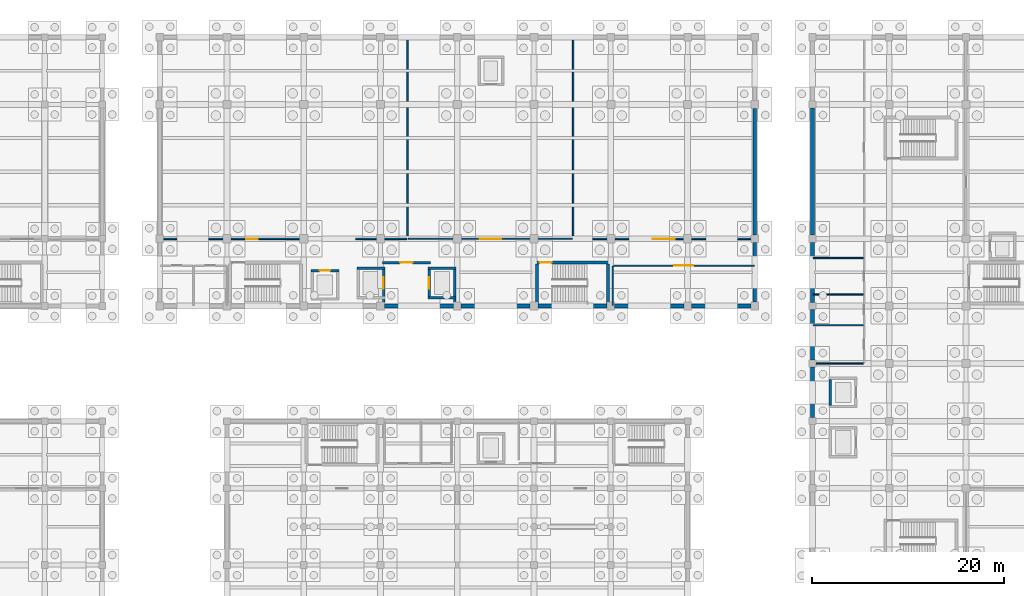
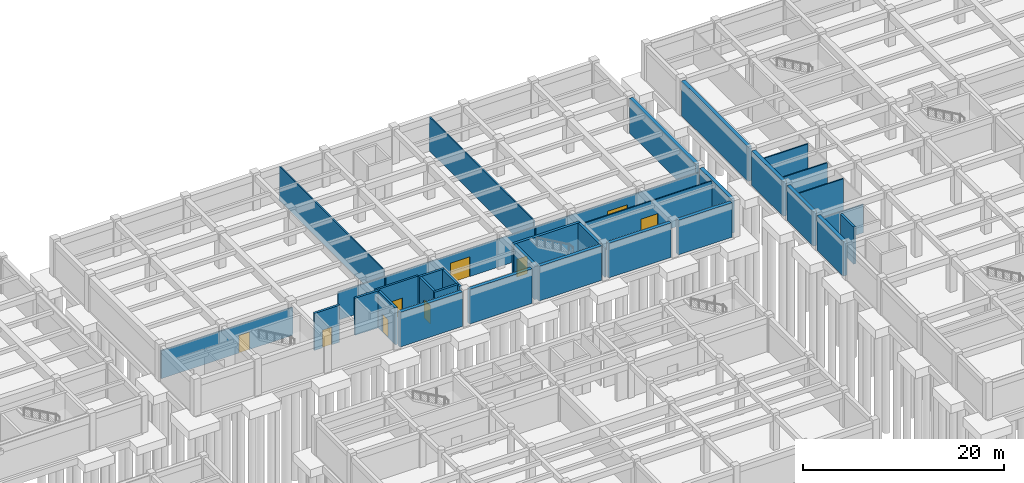
# One storey, part 18 of 28: 35 walls, 9 doors, 9 openings.
"""IFC4 building model written with IfcOpenShell, lengths in metres."""

import ifcopenshell
import ifcopenshell.guid

model = None  # the IFC model being written
_history = None  # IfcOwnerHistory: only IFC2X3 demands one
_inside = {}  # id of a spatial element -> (the spatial element, [elements in it])
_under = {}  # id of a project, library or spatial element -> (it, [spatial elements below it])
_declared = {}  # id of a project -> (the project, [libraries it declares])
_typed = {}  # id of a type object -> (the type object, [elements of that type])
_made_of = {}  # id of a material, layer set ... -> (it, [elements and type objects made of it])


def new_model(schema):
    """Start an empty IFC model of exactly this schema.

    Asked for "IFC4X3", IfcOpenShell would pick the latest addendum, in which some entities
    have other attributes; the version numbers below select the first issue.
    IFC2X3 requires an IfcOwnerHistory on every rooted entity: one is made here for all.
    """
    global model, _history
    if schema == "IFC4X3":
        model = ifcopenshell.file(schema_version=(4, 3, 0, 0))
    else:
        model = ifcopenshell.file(schema=schema)
    _inside.clear()
    _under.clear()
    _declared.clear()
    _typed.clear()
    _made_of.clear()
    _history = None
    if model.schema == "IFC2X3":
        org = make("IfcOrganization", Name="unknown")
        user = make(
            "IfcPersonAndOrganization",
            ThePerson=make("IfcPerson", FamilyName="unknown"),
            TheOrganization=org,
        )
        app = make(
            "IfcApplication",
            ApplicationDeveloper=org,
            Version="unknown",
            ApplicationFullName="unknown",
            ApplicationIdentifier="unknown",
        )
        _history = make(
            "IfcOwnerHistory",
            OwningUser=user,
            OwningApplication=app,
            ChangeAction="ADDED",
            CreationDate=0,
        )
    return model


def make(cls, **values):
    """One entity of the class cls with the attributes given. An attribute that is None is left unset."""
    return model.create_entity(
        cls, **{name: value for name, value in values.items() if value is not None}
    )


def rooted(cls, **values):
    """An entity with a GlobalId (a new one), such as an element, a storey or a relation."""
    return make(cls, GlobalId=ifcopenshell.guid.new(), OwnerHistory=_history, **values)


def si_unit(unit_type, name, prefix=None):
    """IfcSIUnit, for example si_unit("LENGTHUNIT", "METRE", prefix="MILLI")."""
    return make("IfcSIUnit", UnitType=unit_type, Prefix=prefix, Name=name)


def assignment(units):
    """IfcUnitAssignment: the units of a project."""
    return None if units is None else make("IfcUnitAssignment", Units=units)


def point(xyz):
    """IfcCartesianPoint."""
    return None if xyz is None else make("IfcCartesianPoint", Coordinates=xyz)


def direction(xyz):
    """IfcDirection."""
    return None if xyz is None else make("IfcDirection", DirectionRatios=xyz)


def frame(location, z_axis=None, x_axis=None):
    """IfcAxis2Placement3D, a coordinate frame: its origin and axes. An axis left out is left unset."""
    return make(
        "IfcAxis2Placement3D",
        Location=point(location),
        Axis=direction(z_axis),
        RefDirection=direction(x_axis),
    )


def frame_2d(location, x_axis=None):
    """IfcAxis2Placement2D, a coordinate frame in the plane: its origin and x axis."""
    return make(
        "IfcAxis2Placement2D", Location=point(location), RefDirection=direction(x_axis)
    )


def origin():
    """The frame at (0, 0, 0) with its axes left unset."""
    return frame((0.0, 0.0, 0.0))


def place(relative_to, where):
    """IfcLocalPlacement: puts the frame where relative to a parent placement (None: the world)."""
    return make(
        "IfcLocalPlacement", PlacementRelTo=relative_to, RelativePlacement=where
    )


def context(
    kind, dimensions, precision=None, world=None, true_north=None, identifier=None
):
    """IfcGeometricRepresentationContext, for example the 3D "Model" context."""
    return make(
        "IfcGeometricRepresentationContext",
        ContextIdentifier=identifier,
        ContextType=kind,
        CoordinateSpaceDimension=dimensions,
        Precision=precision,
        WorldCoordinateSystem=world,
        TrueNorth=true_north,
    )


def subcontext(parent, identifier, kind, view, scale=None):
    """IfcGeometricRepresentationSubContext, for example "Body" below "Model"."""
    return make(
        "IfcGeometricRepresentationSubContext",
        ContextIdentifier=identifier,
        ContextType=kind,
        ParentContext=parent,
        TargetScale=scale,
        TargetView=view,
    )


def project(units=None, contexts=None):
    """IfcProject with its units and contexts."""
    return rooted(
        "IfcProject",
        Name="project",
        RepresentationContexts=contexts,
        UnitsInContext=assignment(units),
    )


def spatial(cls, under=None, at=None, **own):
    """A site, building, storey or space (cls), placed at a placement, below another one or the project."""
    s = rooted(cls, ObjectPlacement=at, **own)
    if under is not None:
        _under.setdefault(under.id(), (under, []))[1].append(s)
    return s


def profile(cls, at=None, kind="AREA", **sizes):
    """A parametric profile (cls). Its sizes go by their IFC names, for example OverallWidth=200.0."""
    return make(cls, ProfileType=kind, Position=at, **sizes)


def rectangle(**sizes):
    """IfcRectangleProfileDef."""
    return profile("IfcRectangleProfileDef", **sizes)


def extrude(swept, where, along, depth):
    """IfcExtrudedAreaSolid: the profile swept, set in the frame where, extruded along a direction by depth."""
    return make(
        "IfcExtrudedAreaSolid",
        SweptArea=swept,
        Position=where,
        ExtrudedDirection=direction(along),
        Depth=depth,
    )


def shape(context_of_items, identifier, shape_type, items):
    """IfcShapeRepresentation: the items that make up one representation, for example the "Body"."""
    return make(
        "IfcShapeRepresentation",
        ContextOfItems=context_of_items,
        RepresentationIdentifier=identifier,
        RepresentationType=shape_type,
        Items=items,
    )


def material(Name=None, Category=None):
    """IfcMaterial."""
    return make("IfcMaterial", Name=Name, Category=Category)


def layer(
    of_material, thickness, ventilated=None, Name=None, Category=None, Priority=None
):
    """IfcMaterialLayer: one layer of a wall or slab, of a material (None: an air gap)."""
    return make(
        "IfcMaterialLayer",
        Material=of_material,
        LayerThickness=thickness,
        IsVentilated=ventilated,
        Name=Name,
        Category=Category,
        Priority=Priority,
    )


def layer_set(layers, Name=None):
    """IfcMaterialLayerSet."""
    return make("IfcMaterialLayerSet", MaterialLayers=layers, LayerSetName=Name)


def made_of(thing, what):
    """Note that an element or type object is made of a material, layer set ...; save() writes the relation."""
    if what is not None:
        _made_of.setdefault(what.id(), (what, []))[1].append(thing)
    return thing


def type_object(cls, material=None, **own):
    """A type object (cls), such as IfcWallType, which elements share."""
    return made_of(rooted(cls, **own), material)


def element(
    cls,
    number,
    at=None,
    inside=None,
    cuts=None,
    type_object=None,
    material=None,
    context=None,
    identifier="Body",
    shape_type=None,
    held_by="IfcProductDefinitionShape",
    body=None,
    shapes=None,
    **own,
):
    """One element of the class cls, such as IfcWall. Its Tag is "e" and its number.

    at: its placement. inside: the storey or other place that contains it. cuts: it is an
    opening in that element (IfcRelVoidsElement). A single representation is given by context,
    identifier, shape_type and body (its items); several are given by shapes. held_by: the class
    of the entity that holds the representations. save() writes the other relations.
    """
    e = rooted(cls, Tag="e%d" % number, ObjectPlacement=at, **own)
    if body is not None:
        shapes = [shape(context, identifier, shape_type, body)]
    if shapes is not None:
        e.Representation = make(held_by, Representations=shapes)
    if inside is not None:
        _inside.setdefault(inside.id(), (inside, []))[1].append(e)
    if cuts is not None:
        rooted(
            "IfcRelVoidsElement", RelatingBuildingElement=cuts, RelatedOpeningElement=e
        )
    if type_object is not None:
        _typed.setdefault(type_object.id(), (type_object, []))[1].append(e)
    return made_of(e, material)


def fill(opening, filler):
    """IfcRelFillsElement: the door or window that sits in an opening."""
    return rooted(
        "IfcRelFillsElement",
        RelatingOpeningElement=opening,
        RelatedBuildingElement=filler,
    )


def aggregate(whole, parts):
    """IfcRelAggregates: a whole, such as a stair, and the parts it consists of."""
    return rooted("IfcRelAggregates", RelatingObject=whole, RelatedObjects=parts)


def save(model, path):
    """Write the relations noted so far, then the file.

    IfcRelAggregates (storeys below a building ...), IfcRelContainedInSpatialStructure (elements
    in a storey), IfcRelDefinesByType, IfcRelAssociatesMaterial and IfcRelDeclares: one each for
    every whole, place, type object, material and project.
    """
    for whole, parts in _under.values():
        aggregate(whole, parts)
    for where, things in _inside.values():
        rooted(
            "IfcRelContainedInSpatialStructure",
            RelatedElements=things,
            RelatingStructure=where,
        )
    for kind, things in _typed.values():
        rooted("IfcRelDefinesByType", RelatedObjects=things, RelatingType=kind)
    for what, things in _made_of.values():
        rooted("IfcRelAssociatesMaterial", RelatedObjects=things, RelatingMaterial=what)
    for by, libraries in _declared.values():
        rooted("IfcRelDeclares", RelatingContext=by, RelatedDefinitions=libraries)
    model.write(path)


model = new_model("IFC4")

# Units and contexts
model_context = context("Model", 3, precision=1e-05, world=origin(), true_north=direction((0.0, 1.0)))
body_context = subcontext(model_context, "Body", "Model", "MODEL_VIEW")
ifc_project = project(units=[si_unit("LENGTHUNIT", "METRE"), si_unit("AREAUNIT", "SQUARE_METRE"), si_unit("VOLUMEUNIT", "CUBIC_METRE"), si_unit("PLANEANGLEUNIT", "RADIAN"), si_unit("MASSUNIT", "GRAM", prefix="KILO")], contexts=[model_context])

# Site, building, storey
site_placement = place(None, origin())
site = spatial("IfcSite", under=ifc_project, at=site_placement, CompositionType="ELEMENT")
building_placement = place(site_placement, origin())
building = spatial("IfcBuilding", under=site, at=building_placement, Name="Naurynzar Civic Courthouse", CompositionType="ELEMENT")
storey_placement = place(building_placement, frame((0.0, 0.0, -4.5)))
storey = spatial("IfcBuildingStorey", under=building, at=storey_placement, Name="B01", CompositionType="ELEMENT", Elevation=-4.5)

# Wall, opening, door
ifc_material_1 = material(Name="Concrete C40/50", Category="concrete")
ifc_layer_1 = layer(ifc_material_1, 0.300048828125)
ifc_layer_set_1 = layer_set([ifc_layer_1], Name="WL-CORE-300")
wall_type_1 = type_object("IfcWallType", Name="WL-CORE-300", PredefinedType="SHEAR", material=ifc_layer_set_1)
wall_1_placement = place(storey_placement, frame((108.85009765625, 48.550048828125, 0.0), z_axis=(0.0, 0.0, 1.0), x_axis=(-1.0, 0.0, 0.0)))
wall_1 = element("IfcWall", 1, at=wall_1_placement, inside=storey, type_object=wall_type_1, Name="Stair ST-V2B enclosure wall north B01", PredefinedType="SHEAR", context=body_context, shape_type="SweptSolid", body=[
    extrude(rectangle(XDim=7.7001953125, YDim=0.300048828125, at=frame_2d((3.85009765625, 0.0))), origin(), (0.0, 0.0, 1.0), 4.199951171875),
])
opening_1_placement = place(wall_1_placement, frame((6.02490234375, 0.0, 0.0)))
opening_1 = element("IfcOpeningElement", 2, at=opening_1_placement, cuts=wall_1, Name="Opening SD-034", PredefinedType="OPENING", context=body_context, shape_type="SweptSolid", body=[
    extrude(rectangle(XDim=1.25, YDim=2.14990234375, at=frame_2d((0.625, 1.074951171875))), frame((0.0, 0.159912109375, 0.0), z_axis=(0.0, -1.0, 0.0), x_axis=(1.0, 0.0, 0.0)), (0.0, 0.0, 1.0), 0.320068359375),
])
ifc_material_2 = material(Name="Powder-Coated Galvanised Steel", Category="steel")
door_type_1 = type_object("IfcDoorType", Name="DR-STAIR-1250x2150", OperationType="NOTDEFINED", PredefinedType="DOOR", material=ifc_material_2)
door_1_placement = place(opening_1_placement, origin())
door_1 = element("IfcDoor", 3, at=door_1_placement, inside=storey, type_object=door_type_1, Name="Stair ST-V2B fire door B01", OperationType="SINGLE_SWING_RIGHT", OverallHeight=2.14990234375, OverallWidth=1.25, PredefinedType="DOOR", context=body_context, shape_type="SweptSolid", body=[
    extrude(rectangle(XDim=1.25, YDim=2.14990234375, at=frame_2d((0.625, 1.074951171875))), frame((0.0, 0.02490234375, 0.0), z_axis=(0.0, -1.0, 0.0), x_axis=(1.0, 0.0, 0.0)), (0.0, 0.0, 1.0), 0.050048828125),
])
fill(opening_1, door_1)

# Walls
for number, where, z_axis, x_axis, name in (
    (4, (101.300048828125, 48.39501953125, 0.0), (0.0, 0.0, 1.0), (0.0, -1.0, 0.0), "Stair ST-V2B enclosure wall west B01"),
    (5, (108.699951171875, 44.205078125, 0.0), (0.0, 0.0, 1.0), (0.0, 1.0, 0.0), "Stair ST-V2B enclosure wall east B01"),
):
    element("IfcWall", number, at=place(storey_placement, frame(where, z_axis=z_axis, x_axis=x_axis)), inside=storey, type_object=wall_type_1, Name=name, PredefinedType="SHEAR", context=body_context, shape_type="SweptSolid", body=[
        extrude(rectangle(XDim=4.18994140625, YDim=0.300048828125, at=frame_2d((2.094970703125, 0.0))), origin(), (0.0, 0.0, 1.0), 4.199951171875),
    ])

# Wall, opening, door
ifc_material_3 = material(Name="Concrete C35/45", Category="concrete")
ifc_layer_2 = layer(ifc_material_3, 0.219970703125)
ifc_layer_set_2 = layer_set([ifc_layer_2], Name="WL-FFL-220")
wall_type_2 = type_object("IfcWallType", Name="WL-FFL-220", PredefinedType="SOLIDWALL", material=ifc_layer_set_2)
wall_2_placement = place(storey_placement, frame((85.179931640625, 48.510009765625, 0.0), z_axis=(0.0, 0.0, 1.0), x_axis=(1.0, 0.0, 0.0)))
wall_2 = element("IfcWall", 6, at=wall_2_placement, inside=storey, type_object=wall_type_2, Name="Firefighting lift lobby EI 120 wall CORE-V2 B01 north", PredefinedType="SOLIDWALL", context=body_context, shape_type="SweptSolid", body=[
    extrude(rectangle(XDim=5.0400390625, YDim=0.219970703125, at=frame_2d((2.52001953125, 0.0))), origin(), (0.0, 0.0, 1.0), 4.199951171875),
])
opening_2_placement = place(wall_2_placement, frame((1.8701171875, 0.0, 0.0)))
opening_2 = element("IfcOpeningElement", 7, at=opening_2_placement, cuts=wall_2, Name="Opening FD-01", PredefinedType="OPENING", context=body_context, shape_type="SweptSolid", body=[
    extrude(rectangle(XDim=1.300048828125, YDim=2.14990234375, at=frame_2d((0.64990234375, 1.074951171875))), frame((0.0, 0.119873046875, 0.0), z_axis=(0.0, -1.0, 0.0), x_axis=(1.0, 0.0, 0.0)), (0.0, 0.0, 1.0), 0.239990234375),
])
ifc_material_4 = material(Name="Powder-Coated Galvanised Steel", Category="steel")
door_type_2 = type_object("IfcDoorType", Name="DR-FFL-1300x2150", OperationType="NOTDEFINED", PredefinedType="DOOR", material=ifc_material_4)
door_2_placement = place(opening_2_placement, origin())
door_2 = element("IfcDoor", 8, at=door_2_placement, inside=storey, type_object=door_type_2, Name="Firefighting lift lobby door FD-01", OperationType="SINGLE_SWING_LEFT", OverallHeight=2.14990234375, OverallWidth=1.300048828125, PredefinedType="DOOR", context=body_context, shape_type="SweptSolid", body=[
    extrude(rectangle(XDim=1.300048828125, YDim=2.14990234375, at=frame_2d((0.64990234375, 1.074951171875))), frame((0.0, 0.02490234375, 0.0), z_axis=(0.0, -1.0, 0.0), x_axis=(1.0, 0.0, 0.0)), (0.0, 0.0, 1.0), 0.050048828125),
])
fill(opening_2, door_2)

ifc_material_5 = material(Name="Fire-Rated Corridor Gypsum Partition")
ifc_layer_3 = layer(ifc_material_5, 0.14990234375)
ifc_layer_set_3 = layer_set([ifc_layer_3], Name="WL-PART-CORR-150")
wall_type_3 = type_object("IfcWallType", Name="WL-PART-CORR-150", PredefinedType="PARTITIONING", material=ifc_layer_set_3)
wall_3_placement = place(storey_placement, frame((62.080078125, 51.0, 0.0), z_axis=(0.0, 0.0, 1.0), x_axis=(1.0, 0.0, 0.0)))
wall_3 = element("IfcWall", 9, at=wall_3_placement, inside=storey, type_object=wall_type_3, Name="V2 interior partition B01.32", PredefinedType="PARTITIONING", context=body_context, shape_type="SweptSolid", body=[
    extrude(rectangle(XDim=15.119873046875, YDim=0.14990234375, at=frame_2d((7.56005859375, 0.0))), origin(), (0.0, 0.0, 1.0), 3.39990234375),
])
opening_3_placement = place(wall_3_placement, frame((8.943115234375, 0.0, 0.0)))
opening_3 = element("IfcOpeningElement", 10, at=opening_3_placement, cuts=wall_3, Name="Opening D-098", PredefinedType="OPENING", context=body_context, shape_type="SweptSolid", body=[
    extrude(rectangle(XDim=1.199951171875, YDim=2.14990234375, at=frame_2d((0.60009765625, 1.074951171875))), frame((0.0, 0.0849609375, 0.0), z_axis=(0.0, -1.0, 0.0), x_axis=(1.0, 0.0, 0.0)), (0.0, 0.0, 1.0), 0.169921875),
])
ifc_material_6 = material(Name="Powder-Coated Galvanised Steel", Category="steel")
door_type_3 = type_object("IfcDoorType", Name="DR-ARCH-1200x2150", OperationType="NOTDEFINED", PredefinedType="DOOR", material=ifc_material_6)
door_3_placement = place(opening_3_placement, origin())
door_3 = element("IfcDoor", 11, at=door_3_placement, inside=storey, type_object=door_type_3, Name="Interior door D-098 (Civil Case Archive Vault)", OperationType="SINGLE_SWING_RIGHT", OverallHeight=2.14990234375, OverallWidth=1.199951171875, PredefinedType="DOOR", context=body_context, shape_type="SweptSolid", body=[
    extrude(rectangle(XDim=1.199951171875, YDim=2.14990234375, at=frame_2d((0.60009765625, 1.074951171875))), frame((0.0, 0.02490234375, 0.0), z_axis=(0.0, -1.0, 0.0), x_axis=(1.0, 0.0, 0.0)), (0.0, 0.0, 1.0), 0.050048828125),
])
fill(opening_3, door_3)

# Wall
wall_4_placement = place(storey_placement, frame((82.39990234375, 51.0, 0.0), z_axis=(0.0, 0.0, 1.0), x_axis=(1.0, 0.0, 0.0)))
element("IfcWall", 12, at=wall_4_placement, inside=storey, type_object=wall_type_3, Name="V2 interior partition B01.33", PredefinedType="PARTITIONING", context=body_context, shape_type="SweptSolid", body=[
    extrude(rectangle(XDim=5.35009765625, YDim=0.14990234375, at=frame_2d((2.675048828125, 0.0))), origin(), (0.0, 0.0, 1.0), 3.39990234375),
])

# Wall, opening, door
wall_5_placement = place(storey_placement, frame((105.139892578125, 51.0, 0.0), z_axis=(0.0, 0.0, 1.0), x_axis=(1.0, 0.0, 0.0)))
wall_5 = element("IfcWall", 13, at=wall_5_placement, inside=storey, type_object=wall_type_3, Name="V2 interior partition B01.35", PredefinedType="PARTITIONING", context=body_context, shape_type="SweptSolid", body=[
    extrude(rectangle(XDim=18.780029296875, YDim=0.14990234375, at=frame_2d((9.39013671875, 0.0))), origin(), (0.0, 0.0, 1.0), 3.39990234375),
])
opening_4_placement = place(wall_5_placement, frame((8.239990234375, 0.0, 0.0)))
opening_4 = element("IfcOpeningElement", 14, at=opening_4_placement, cuts=wall_5, Name="Opening D-100", PredefinedType="OPENING", context=body_context, shape_type="SweptSolid", body=[
    extrude(rectangle(XDim=2.300048828125, YDim=2.39990234375, at=frame_2d((1.14990234375, 1.199951171875))), frame((0.0, 0.0849609375, 0.0), z_axis=(0.0, -1.0, 0.0), x_axis=(1.0, 0.0, 0.0)), (0.0, 0.0, 1.0), 0.169921875),
])
ifc_material_7 = material(Name="Acoustic Oak Timber Grade A", Category="wood")
door_type_4 = type_object("IfcDoorType", Name="DR-SUITE-2300x2400", OperationType="DOUBLE_DOOR_SINGLE_SWING", PredefinedType="DOOR", material=ifc_material_7)
door_4_placement = place(opening_4_placement, origin())
door_4 = element("IfcDoor", 15, at=door_4_placement, inside=storey, type_object=door_type_4, Name="Interior door D-100 (HVAC Air Handling Plant V2)", OperationType="DOUBLE_DOOR_SINGLE_SWING", OverallHeight=2.39990234375, OverallWidth=2.300048828125, PredefinedType="DOOR", context=body_context, shape_type="SweptSolid", body=[
    extrude(rectangle(XDim=2.300048828125, YDim=2.39990234375, at=frame_2d((1.14990234375, 1.199951171875))), frame((0.0, 0.02490234375, 0.0), z_axis=(0.0, -1.0, 0.0), x_axis=(1.0, 0.0, 0.0)), (0.0, 0.0, 1.0), 0.050048828125),
])
fill(opening_4, door_4)

# Walls
for number, where, z_axis, x_axis, name in (
    (16, (87.830078125, 51.080078125, 0.0), (0.0, 0.0, 1.0), (0.0, 1.0, 0.0), "V2 interior partition B01.53"),
    (17, (105.06005859375, 51.080078125, 0.0), (0.0, 0.0, 1.0), (0.0, 1.0, 0.0), "V2 interior partition B01.59"),
):
    element("IfcWall", number, at=place(storey_placement, frame(where, z_axis=z_axis, x_axis=x_axis)), inside=storey, type_object=wall_type_3, Name=name, PredefinedType="PARTITIONING", context=body_context, shape_type="SweptSolid", body=[
        extrude(rectangle(XDim=20.83984375, YDim=0.14990234375, at=frame_2d((10.419921875, 0.0))), origin(), (0.0, 0.0, 1.0), 4.139892578125),
    ])

# Wall, opening, door
ifc_material_8 = material(Name="Metal-Stud Gypsum Partition")
ifc_layer_4 = layer(ifc_material_8, 0.125)
ifc_layer_set_4 = layer_set([ifc_layer_4], Name="WL-PART-STD-125")
wall_type_4 = type_object("IfcWallType", Name="WL-PART-STD-125", PredefinedType="PARTITIONING", material=ifc_layer_set_4)
wall_6_placement = place(storey_placement, frame((109.280029296875, 48.199951171875, 0.0), z_axis=(0.0, 0.0, 1.0), x_axis=(1.0, 0.0, 0.0)))
wall_6 = element("IfcWall", 18, at=wall_6_placement, inside=storey, type_object=wall_type_4, Name="V2 interior partition B01.26", PredefinedType="PARTITIONING", context=body_context, shape_type="SweptSolid", body=[
    extrude(rectangle(XDim=14.639892578125, YDim=0.125, at=frame_2d((7.31982421875, 0.0))), origin(), (0.0, 0.0, 1.0), 4.139892578125),
])
opening_5_placement = place(wall_6_placement, frame((6.344970703125, 0.0, 0.0)))
opening_5 = element("IfcOpeningElement", 19, at=opening_5_placement, cuts=wall_6, Name="Opening D-097", PredefinedType="OPENING", context=body_context, shape_type="SweptSolid", body=[
    extrude(rectangle(XDim=1.949951171875, YDim=2.35009765625, at=frame_2d((0.97509765625, 1.175048828125))), frame((0.0, 0.072509765625, 0.0), z_axis=(0.0, -1.0, 0.0), x_axis=(1.0, 0.0, 0.0)), (0.0, 0.0, 1.0), 0.14501953125),
])
ifc_material_9 = material(Name="Acoustic Oak Timber Grade A", Category="wood")
door_type_5 = type_object("IfcDoorType", Name="DR-SUITE-1950x2350", OperationType="DOUBLE_DOOR_SINGLE_SWING", PredefinedType="DOOR", material=ifc_material_9)
door_5_placement = place(opening_5_placement, origin())
door_5 = element("IfcDoor", 20, at=door_5_placement, inside=storey, type_object=door_type_5, Name="Interior door D-097 (Witness Waiting Room V2)", OperationType="DOUBLE_DOOR_SINGLE_SWING", OverallHeight=2.35009765625, OverallWidth=1.949951171875, PredefinedType="DOOR", context=body_context, shape_type="SweptSolid", body=[
    extrude(rectangle(XDim=1.949951171875, YDim=2.35009765625, at=frame_2d((0.97509765625, 1.175048828125))), frame((0.0, 0.02490234375, 0.0), z_axis=(0.0, -1.0, 0.0), x_axis=(1.0, 0.0, 0.0)), (0.0, 0.0, 1.0), 0.050048828125),
])
fill(opening_5, door_5)

wall_7_placement = place(storey_placement, frame((87.909912109375, 51.0, 0.0), z_axis=(0.0, 0.0, 1.0), x_axis=(1.0, 0.0, 0.0)))
wall_7 = element("IfcWall", 21, at=wall_7_placement, inside=storey, type_object=wall_type_4, Name="V2 interior partition B01.34", PredefinedType="PARTITIONING", context=body_context, shape_type="SweptSolid", body=[
    extrude(rectangle(XDim=17.070068359375, YDim=0.125, at=frame_2d((8.53515625, 0.0))), origin(), (0.0, 0.0, 1.0), 3.39990234375),
])
opening_6_placement = place(wall_7_placement, frame((7.409912109375, 0.0, 0.0)))
opening_6 = element("IfcOpeningElement", 22, at=opening_6_placement, cuts=wall_7, Name="Opening D-099", PredefinedType="OPENING", context=body_context, shape_type="SweptSolid", body=[
    extrude(rectangle(XDim=2.25, YDim=2.39990234375, at=frame_2d((1.125, 1.199951171875))), frame((0.0, 0.072509765625, 0.0), z_axis=(0.0, -1.0, 0.0), x_axis=(1.0, 0.0, 0.0)), (0.0, 0.0, 1.0), 0.14501953125),
])
ifc_material_10 = material(Name="Acoustic Oak Timber Grade A", Category="wood")
door_type_6 = type_object("IfcDoorType", Name="DR-SUITE-2250x2400", OperationType="DOUBLE_DOOR_SINGLE_SWING", PredefinedType="DOOR", material=ifc_material_10)
door_6_placement = place(opening_6_placement, origin())
door_6 = element("IfcDoor", 23, at=door_6_placement, inside=storey, type_object=door_type_6, Name="Interior door D-099 (Courtroom Furniture and Exhibit Store)", OperationType="DOUBLE_DOOR_SINGLE_SWING", OverallHeight=2.39990234375, OverallWidth=2.25, PredefinedType="DOOR", context=body_context, shape_type="SweptSolid", body=[
    extrude(rectangle(XDim=2.25, YDim=2.39990234375, at=frame_2d((1.125, 1.199951171875))), frame((0.0, 0.02490234375, 0.0), z_axis=(0.0, -1.0, 0.0), x_axis=(1.0, 0.0, 0.0)), (0.0, 0.0, 1.0), 0.050048828125),
])
fill(opening_6, door_6)

# Walls
wall_8_placement = place(storey_placement, frame((109.199951171875, 44.080078125, 0.0), z_axis=(0.0, 0.0, 1.0), x_axis=(0.0, 1.0, 0.0)))
element("IfcWall", 24, at=wall_8_placement, inside=storey, type_object=wall_type_4, Name="V2 interior partition B01.60", PredefinedType="PARTITIONING", context=body_context, shape_type="SweptSolid", body=[
    extrude(rectangle(XDim=4.0400390625, YDim=0.125, at=frame_2d((2.02001953125, 0.0))), origin(), (0.0, 0.0, 1.0), 3.5),
])
ifc_material_11 = material(Name="Moisture-Resistant Plumbing Partition")
ifc_layer_5 = layer(ifc_material_11, 0.139892578125)
ifc_layer_set_5 = layer_set([ifc_layer_5], Name="WL-PART-WC-140")
wall_type_5 = type_object("IfcWallType", Name="WL-PART-WC-140", PredefinedType="PLUMBINGWALL", material=ifc_layer_set_5)
wall_9_placement = place(storey_placement, frame((130.080078125, 38.0, 0.0), z_axis=(0.0, 0.0, 1.0), x_axis=(1.0, 0.0, 0.0)))
element("IfcWall", 25, at=wall_9_placement, inside=storey, type_object=wall_type_5, Name="V5 interior partition B01.17", PredefinedType="PLUMBINGWALL", context=body_context, shape_type="SweptSolid", body=[
    extrude(rectangle(XDim=5.239990234375, YDim=0.139892578125, at=frame_2d((2.6201171875, 0.0))), origin(), (0.0, 0.0, 1.0), 3.449951171875),
])
for number, where, z_axis, x_axis, name in (
    (26, (130.080078125, 42.0, 0.0), (0.0, 0.0, 1.0), (1.0, 0.0, 0.0), "V5 interior partition B01.18"),
    (27, (130.080078125, 45.199951171875, 0.0), (0.0, 0.0, 1.0), (1.0, 0.0, 0.0), "V5 interior partition B01.19"),
    (28, (130.080078125, 49.0, 0.0), (0.0, 0.0, 1.0), (1.0, 0.0, 0.0), "V5 interior partition B01.27"),
):
    element("IfcWall", number, at=place(storey_placement, frame(where, z_axis=z_axis, x_axis=x_axis)), inside=storey, type_object=wall_type_5, Name=name, PredefinedType="PLUMBINGWALL", context=body_context, shape_type="SweptSolid", body=[
        extrude(rectangle(XDim=5.239990234375, YDim=0.139892578125, at=frame_2d((2.6201171875, 0.0))), origin(), (0.0, 0.0, 1.0), 4.139892578125),
    ])
ifc_material_12 = material(Name="Concrete C40/50", Category="concrete")
ifc_layer_6 = layer(ifc_material_12, 0.39990234375)
ifc_layer_set_6 = layer_set([ifc_layer_6], Name="WL-RET-400")
wall_type_6 = type_object("IfcWallType", Name="WL-RET-400", PredefinedType="STANDARD", material=ifc_layer_set_6)
wall_10_placement = place(storey_placement, frame((124.0, 64.60009765625, 0.0), z_axis=(0.0, 0.0, 1.0), x_axis=(0.0, -1.0, 0.0)))
element("IfcWall", 29, at=wall_10_placement, inside=storey, type_object=wall_type_6, Name="V2 basement retaining wall east 2", PredefinedType="STANDARD", context=body_context, shape_type="SweptSolid", body=[
    extrude(rectangle(XDim=13.2001953125, YDim=0.39990234375, at=frame_2d((6.60009765625, 0.0))), origin(), (0.0, 0.0, 1.0), 4.199951171875),
])
for number, where, z_axis, x_axis, name in (
    (30, (124.0, 50.60009765625, 0.0), (0.0, 0.0, 1.0), (0.0, -1.0, 0.0), "V2 basement retaining wall east 3"),
    (31, (123.60009765625, 44.0, 0.0), (0.0, 0.0, 1.0), (-1.0, 0.0, 0.0), "V2 basement retaining wall south 1"),
):
    element("IfcWall", number, at=place(storey_placement, frame(where, z_axis=z_axis, x_axis=x_axis)), inside=storey, type_object=wall_type_6, Name=name, PredefinedType="STANDARD", context=body_context, shape_type="SweptSolid", body=[
        extrude(rectangle(XDim=6.2001953125, YDim=0.39990234375, at=frame_2d((3.10009765625, 0.0))), origin(), (0.0, 0.0, 1.0), 4.199951171875),
    ])
for number, where, z_axis, x_axis, name in (
    (32, (116.60009765625, 44.0, 0.0), (0.0, 0.0, 1.0), (-1.0, 0.0, 0.0), "V2 basement retaining wall south 2"),
    (33, (108.60009765625, 44.0, 0.0), (0.0, 0.0, 1.0), (-1.0, 0.0, 0.0), "V2 basement retaining wall south 3"),
    (34, (100.60009765625, 44.0, 0.0), (0.0, 0.0, 1.0), (-1.0, 0.0, 0.0), "V2 basement retaining wall south 4"),
    (35, (92.60009765625, 44.0, 0.0), (0.0, 0.0, 1.0), (-1.0, 0.0, 0.0), "V2 basement retaining wall south 5"),
):
    element("IfcWall", number, at=place(storey_placement, frame(where, z_axis=z_axis, x_axis=x_axis)), inside=storey, type_object=wall_type_6, Name=name, PredefinedType="STANDARD", context=body_context, shape_type="SweptSolid", body=[
        extrude(rectangle(XDim=7.2001953125, YDim=0.39990234375, at=frame_2d((3.60009765625, 0.0))), origin(), (0.0, 0.0, 1.0), 4.199951171875),
    ])
for number, where, z_axis, x_axis, name in (
    (36, (130.0, 32.375, 0.0), (0.0, 0.0, 1.0), (0.0, 1.0, 0.0), "V5 basement retaining wall west 5"),
    (37, (130.0, 38.375, 0.0), (0.0, 0.0, 1.0), (0.0, 1.0, 0.0), "V5 basement retaining wall west 6"),
):
    element("IfcWall", number, at=place(storey_placement, frame(where, z_axis=z_axis, x_axis=x_axis)), inside=storey, type_object=wall_type_6, Name=name, PredefinedType="STANDARD", context=body_context, shape_type="SweptSolid", body=[
        extrude(rectangle(XDim=5.25, YDim=0.39990234375, at=frame_2d((2.625, 0.0))), origin(), (0.0, 0.0, 1.0), 4.199951171875),
    ])
wall_11_placement = place(storey_placement, frame((130.0, 44.375, 0.0), z_axis=(0.0, 0.0, 1.0), x_axis=(0.0, 1.0, 0.0)))
element("IfcWall", 38, at=wall_11_placement, inside=storey, type_object=wall_type_6, Name="V5 basement retaining wall west 7", PredefinedType="STANDARD", context=body_context, shape_type="SweptSolid", body=[
    extrude(rectangle(XDim=6.25, YDim=0.39990234375, at=frame_2d((3.125, 0.0))), origin(), (0.0, 0.0, 1.0), 4.199951171875),
])
wall_12_placement = place(storey_placement, frame((130.0, 51.375, 0.0), z_axis=(0.0, 0.0, 1.0), x_axis=(0.0, 1.0, 0.0)))
element("IfcWall", 39, at=wall_12_placement, inside=storey, type_object=wall_type_6, Name="V5 basement retaining wall west 8", PredefinedType="STANDARD", context=body_context, shape_type="SweptSolid", body=[
    extrude(rectangle(XDim=13.25, YDim=0.39990234375, at=frame_2d((6.625, 0.0))), origin(), (0.0, 0.0, 1.0), 4.199951171875),
])

# Wall, opening, door
ifc_material_13 = material(Name="Concrete C40/50", Category="concrete")
ifc_layer_7 = layer(ifc_material_13, 0.25)
ifc_layer_set_7 = layer_set([ifc_layer_7], Name="WL-SHAFT-250")
wall_type_7 = type_object("IfcWallType", Name="WL-SHAFT-250", PredefinedType="SHEAR", material=ifc_layer_set_7)
wall_13_placement = place(storey_placement, frame((80.64990234375, 47.675048828125, 0.0), z_axis=(0.0, 0.0, 1.0), x_axis=(-1.0, 0.0, 0.0)))
wall_13 = element("IfcWall", 40, at=wall_13_placement, inside=storey, type_object=wall_type_7, Name="Lift LP-03 shaft wall north B01", PredefinedType="SHEAR", context=body_context, shape_type="SweptSolid", body=[
    extrude(rectangle(XDim=2.89990234375, YDim=0.25, at=frame_2d((1.449951171875, 0.0))), origin(), (0.0, 0.0, 1.0), 4.5),
])
opening_7_placement = place(wall_13_placement, frame((0.89990234375, 0.0, 0.0)))
opening_7 = element("IfcOpeningElement", 41, at=opening_7_placement, cuts=wall_13, Name="Opening LD-017", PredefinedType="OPENING", context=body_context, shape_type="SweptSolid", body=[
    extrude(rectangle(XDim=1.10009765625, YDim=2.14990234375, at=frame_2d((0.550048828125, 1.074951171875))), frame((0.0, 0.135009765625, 0.0), z_axis=(0.0, -1.0, 0.0), x_axis=(1.0, 0.0, 0.0)), (0.0, 0.0, 1.0), 0.27001953125),
])
ifc_material_14 = material(Name="Brushed Stainless Steel 304", Category="steel")
door_type_7 = type_object("IfcDoorType", Name="DR-LIFT-SLIDE-1100x2150", OperationType="DOUBLE_DOOR_SLIDING", PredefinedType="DOOR", material=ifc_material_14)
door_7_placement = place(opening_7_placement, origin())
door_7 = element("IfcDoor", 42, at=door_7_placement, inside=storey, type_object=door_type_7, Name="Lift LP-03 sliding landing door B01", OperationType="DOUBLE_DOOR_SLIDING", OverallHeight=2.14990234375, OverallWidth=1.10009765625, PredefinedType="DOOR", context=body_context, shape_type="SweptSolid", body=[
    extrude(rectangle(XDim=1.10009765625, YDim=2.14990234375, at=frame_2d((0.550048828125, 1.074951171875))), frame((0.0, 0.02490234375, 0.0), z_axis=(0.0, -1.0, 0.0), x_axis=(1.0, 0.0, 0.0)), (0.0, 0.0, 1.0), 0.050048828125),
])
fill(opening_7, door_7)

# Wall
wall_14_placement = place(storey_placement, frame((85.449951171875, 47.925048828125, 0.0), z_axis=(0.0, 0.0, 1.0), x_axis=(-1.0, 0.0, 0.0)))
element("IfcWall", 43, at=wall_14_placement, inside=storey, type_object=wall_type_7, Name="Lift FL-02 shaft wall north B01", PredefinedType="SHEAR", context=body_context, shape_type="SweptSolid", body=[
    extrude(rectangle(XDim=2.89990234375, YDim=0.25, at=frame_2d((1.449951171875, 0.0))), origin(), (0.0, 0.0, 1.0), 4.5),
])

# Wall, opening, door
wall_15_placement = place(storey_placement, frame((85.324951171875, 44.3798828125, 0.0), z_axis=(0.0, 0.0, 1.0), x_axis=(0.0, 1.0, 0.0)))
wall_15 = element("IfcWall", 44, at=wall_15_placement, inside=storey, type_object=wall_type_7, Name="Lift FL-02 shaft wall east B01", PredefinedType="SHEAR", context=body_context, shape_type="SweptSolid", body=[
    extrude(rectangle(XDim=3.4150390625, YDim=0.25, at=frame_2d((1.70751953125, 0.0))), origin(), (0.0, 0.0, 1.0), 4.5),
])
opening_8_placement = place(wall_15_placement, frame((1.419921875, 0.0, 0.0)))
opening_8 = element("IfcOpeningElement", 45, at=opening_8_placement, cuts=wall_15, Name="Opening LD-028", PredefinedType="OPENING", context=body_context, shape_type="SweptSolid", body=[
    extrude(rectangle(XDim=1.199951171875, YDim=2.199951171875, at=frame_2d((0.60009765625, 1.10009765625))), frame((0.0, 0.135009765625, 0.0), z_axis=(0.0, -1.0, 0.0), x_axis=(1.0, 0.0, 0.0)), (0.0, 0.0, 1.0), 0.27001953125),
])
ifc_material_15 = material(Name="Brushed Stainless Steel 304", Category="steel")
door_type_8 = type_object("IfcDoorType", Name="DR-LIFT-FF-1200x2200", OperationType="DOUBLE_DOOR_SLIDING", PredefinedType="DOOR", material=ifc_material_15)
door_8_placement = place(opening_8_placement, origin())
door_8 = element("IfcDoor", 46, at=door_8_placement, inside=storey, type_object=door_type_8, Name="Lift FL-02 sliding landing door B01", OperationType="DOUBLE_DOOR_SLIDING", OverallHeight=2.199951171875, OverallWidth=1.199951171875, PredefinedType="DOOR", context=body_context, shape_type="SweptSolid", body=[
    extrude(rectangle(XDim=1.199951171875, YDim=2.199951171875, at=frame_2d((0.60009765625, 1.10009765625))), frame((0.0, 0.02490234375, 0.0), z_axis=(0.0, -1.0, 0.0), x_axis=(1.0, 0.0, 0.0)), (0.0, 0.0, 1.0), 0.050048828125),
])
fill(opening_8, door_8)

# Walls
for number, where, z_axis, x_axis, name in (
    (47, (89.949951171875, 44.875, 0.0), (0.0, 0.0, 1.0), (1.0, 0.0, 0.0), "Lift FL-01 shaft wall south B01"),
    (48, (92.85009765625, 47.925048828125, 0.0), (0.0, 0.0, 1.0), (-1.0, 0.0, 0.0), "Lift FL-01 shaft wall north B01"),
):
    element("IfcWall", number, at=place(storey_placement, frame(where, z_axis=z_axis, x_axis=x_axis)), inside=storey, type_object=wall_type_7, Name=name, PredefinedType="SHEAR", context=body_context, shape_type="SweptSolid", body=[
        extrude(rectangle(XDim=2.900146484375, YDim=0.25, at=frame_2d((1.4501953125, 0.0))), origin(), (0.0, 0.0, 1.0), 4.5),
    ])

# Wall, opening, door
wall_16_placement = place(storey_placement, frame((90.074951171875, 47.794921875, 0.0), z_axis=(0.0, 0.0, 1.0), x_axis=(0.0, -1.0, 0.0)))
wall_16 = element("IfcWall", 49, at=wall_16_placement, inside=storey, type_object=wall_type_7, Name="Lift FL-01 shaft wall west B01", PredefinedType="SHEAR", context=body_context, shape_type="SweptSolid", body=[
    extrude(rectangle(XDim=2.7900390625, YDim=0.25, at=frame_2d((1.39501953125, 0.0))), origin(), (0.0, 0.0, 1.0), 4.5),
])
opening_9_placement = place(wall_16_placement, frame((0.794921875, 0.0, 0.0)))
opening_9 = element("IfcOpeningElement", 50, at=opening_9_placement, cuts=wall_16, Name="Opening LD-039", PredefinedType="OPENING", context=body_context, shape_type="SweptSolid", body=[
    extrude(rectangle(XDim=1.199951171875, YDim=2.199951171875, at=frame_2d((0.60009765625, 1.10009765625))), frame((0.0, 0.135009765625, 0.0), z_axis=(0.0, -1.0, 0.0), x_axis=(1.0, 0.0, 0.0)), (0.0, 0.0, 1.0), 0.27001953125),
])
door_9_placement = place(opening_9_placement, origin())
door_9 = element("IfcDoor", 51, at=door_9_placement, inside=storey, type_object=door_type_8, Name="Lift FL-01 sliding landing door B01", OperationType="DOUBLE_DOOR_SLIDING", OverallHeight=2.199951171875, OverallWidth=1.199951171875, PredefinedType="DOOR", context=body_context, shape_type="SweptSolid", body=[
    extrude(rectangle(XDim=1.199951171875, YDim=2.199951171875, at=frame_2d((0.60009765625, 1.10009765625))), frame((0.0, 0.02490234375, 0.0), z_axis=(0.0, -1.0, 0.0), x_axis=(1.0, 0.0, 0.0)), (0.0, 0.0, 1.0), 0.050048828125),
])
fill(opening_9, door_9)

# Walls
wall_17_placement = place(storey_placement, frame((92.72509765625, 44.3798828125, 0.0), z_axis=(0.0, 0.0, 1.0), x_axis=(0.0, 1.0, 0.0)))
element("IfcWall", 52, at=wall_17_placement, inside=storey, type_object=wall_type_7, Name="Lift FL-01 shaft wall east B01", PredefinedType="SHEAR", context=body_context, shape_type="SweptSolid", body=[
    extrude(rectangle(XDim=3.4150390625, YDim=0.25, at=frame_2d((1.70751953125, 0.0))), origin(), (0.0, 0.0, 1.0), 4.5),
])
wall_18_placement = place(storey_placement, frame((131.875, 36.344970703125, 0.0), z_axis=(0.0, 0.0, 1.0), x_axis=(0.0, -1.0, 0.0)))
element("IfcWall", 53, at=wall_18_placement, inside=storey, type_object=wall_type_7, Name="Lift LP-05 shaft wall west B01", PredefinedType="SHEAR", context=body_context, shape_type="SweptSolid", body=[
    extrude(rectangle(XDim=2.68994140625, YDim=0.25, at=frame_2d((1.344970703125, 0.0))), origin(), (0.0, 0.0, 1.0), 4.5),
])

save(model, "model.ifc")
